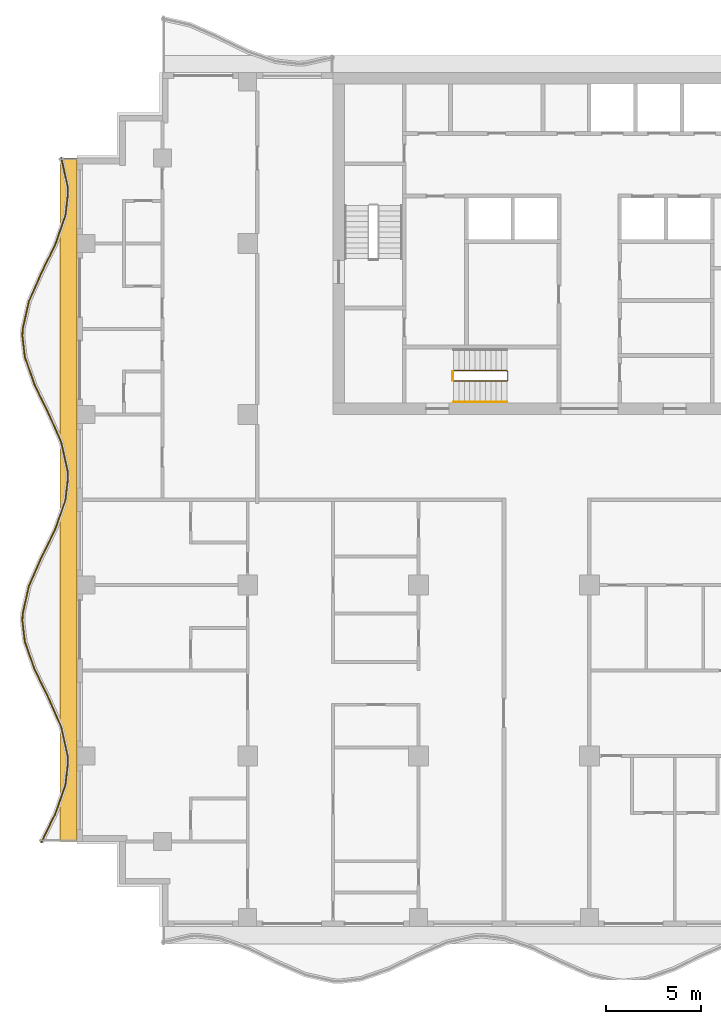
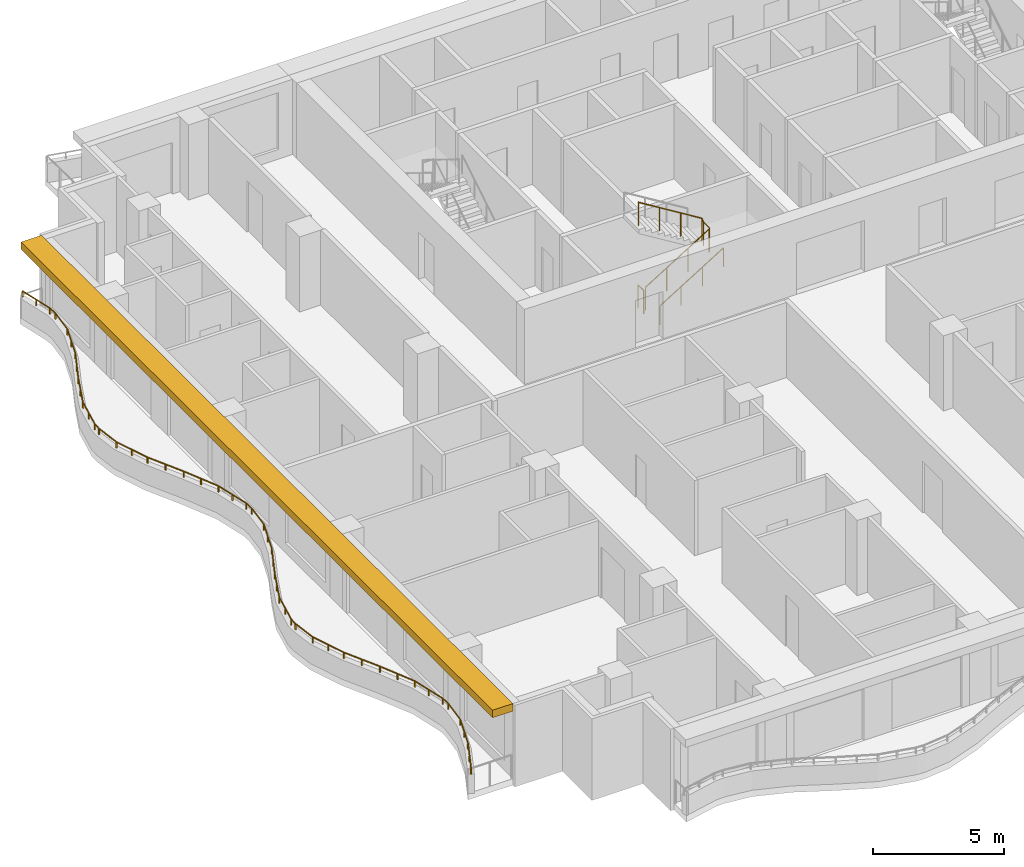
# One storey, part 9 of 11: 4 railings, 1 shading device.
"""IFC4 building model written with IfcOpenShell, lengths in metres."""

from ifc_helpers import new_model, si_unit, direction, frame, origin, origin_2d, place, context, subcontext, project, spatial, polyline, rectangle, circle, outline, extrude, material, layer, layer_set, type_object, element, save


model = new_model("IFC4")

# Units and contexts
model_context = context("Model", 3, precision=1e-05, world=origin(), true_north=direction((0.0, 1.0)))
body_context = subcontext(model_context, "Body", "Model", "MODEL_VIEW")
ifc_project = project(units=[si_unit("LENGTHUNIT", "METRE"), si_unit("AREAUNIT", "SQUARE_METRE"), si_unit("VOLUMEUNIT", "CUBIC_METRE"), si_unit("PLANEANGLEUNIT", "RADIAN"), si_unit("MASSUNIT", "GRAM", prefix="KILO")], contexts=[model_context])

# Site, building, storey
site_placement = place(None, origin())
site = spatial("IfcSite", under=ifc_project, at=site_placement, CompositionType="ELEMENT")
building_placement = place(site_placement, origin())
building = spatial("IfcBuilding", under=site, at=building_placement, Name="Orbiselva Terraces", CompositionType="ELEMENT")
storey_placement = place(building_placement, frame((0.0, 0.0, 230.0)))
storey = spatial("IfcBuildingStorey", under=building, at=storey_placement, Name="L58", CompositionType="ELEMENT", Elevation=230.0)

# Railings
ifc_material_1 = material(Name="Stainless steel", Category="steel")
railing_type_1 = type_object("IfcRailingType", Name="CORE-GUARD-1100", PredefinedType="GUARDRAIL", material=ifc_material_1)
railing_1_placement = place(storey_placement, frame((-7.15, 6.25, 0.172727)))
element("IfcRailing", 1, at=railing_1_placement, inside=storey, type_object=railing_type_1, Name="L58 S3 stair guard 1", PredefinedType="GUARDRAIL", context=body_context, shape_type="SweptSolid", body=[
    extrude(circle(Radius=0.024, at=origin_2d()), frame((0.0, 0.0, 1.081), z_axis=(0.851088519012, 0.0, 0.52502222125), x_axis=(0.0, 1.0, 0.0)), (0.0, 0.0, 1.0), 3.289905),
    extrude(circle(Radius=0.024, at=origin_2d()), frame((2.8, 0.0, 2.808273), z_axis=(0.707106781187, 0.707106781187, 0.0), x_axis=(-0.707106781187, 0.707106781187, 0.0)), (0.0, 0.0, 1.0), 0.070711),
    extrude(circle(Radius=0.024, at=origin_2d()), frame((2.85, 0.05, 2.808273), z_axis=(0.0, 1.0, 0.0), x_axis=(-1.0, 0.0, 0.0)), (0.0, 0.0, 1.0), 0.45),
    extrude(circle(Radius=0.024, at=origin_2d()), frame((2.85, 0.5, 2.808273), z_axis=(-0.267894925557, 0.267894925557, 0.925453736133), x_axis=(-0.707106781187, -0.707106781187, 0.0)), (0.0, 0.0, 1.0), 0.18664),
    extrude(circle(Radius=0.024, at=origin_2d()), frame((2.8, 0.55, 2.981), z_axis=(-0.851088519012, 0.0, 0.52502222125), x_axis=(0.0, -1.0, 0.0)), (0.0, 0.0, 1.0), 3.289905),
    extrude(circle(Radius=0.021, at=origin_2d()), origin(), (0.0, 0.0, 1.0), 1.057),
    extrude(circle(Radius=0.021, at=origin_2d()), frame((0.933333, 0.0, 0.575758)), (0.0, 0.0, 1.0), 1.057),
    extrude(circle(Radius=0.021, at=origin_2d()), frame((1.866667, 0.0, 1.151515)), (0.0, 0.0, 1.0), 1.057),
    extrude(circle(Radius=0.021, at=origin_2d()), frame((2.8, 0.0, 1.727273)), (0.0, 0.0, 1.0), 1.057),
    extrude(circle(Radius=0.021, at=origin_2d()), frame((2.85, 0.05, 1.727273)), (0.0, 0.0, 1.0), 1.057),
    extrude(circle(Radius=0.021, at=origin_2d()), frame((2.85, 0.5, 1.727273)), (0.0, 0.0, 1.0), 1.057),
    extrude(circle(Radius=0.021, at=origin_2d()), frame((2.8, 0.55, 1.9)), (0.0, 0.0, 1.0), 1.057),
    extrude(circle(Radius=0.021, at=origin_2d()), frame((1.866667, 0.55, 2.475758)), (0.0, 0.0, 1.0), 1.057),
    extrude(circle(Radius=0.021, at=origin_2d()), frame((0.933333, 0.55, 3.051515)), (0.0, 0.0, 1.0), 1.057),
    extrude(circle(Radius=0.021, at=origin_2d()), frame((0.0, 0.55, 3.627273)), (0.0, 0.0, 1.0), 1.057),
])
railing_2_placement = place(storey_placement, frame((-7.2, 6.3, 0.0)))
element("IfcRailing", 2, at=railing_2_placement, inside=storey, type_object=railing_type_1, Name="L58 S3 stair guard 2", PredefinedType="GUARDRAIL", context=body_context, shape_type="SweptSolid", body=[
    extrude(circle(Radius=0.024, at=origin_2d()), frame((0.0, 0.0, 1.081), z_axis=(0.0, 1.0, 0.0), x_axis=(-1.0, 0.0, 0.0)), (0.0, 0.0, 1.0), 0.45),
    extrude(circle(Radius=0.021, at=origin_2d()), origin(), (0.0, 0.0, 1.0), 1.057),
    extrude(circle(Radius=0.021, at=origin_2d()), frame((0.0, 0.45, 0.0)), (0.0, 0.0, 1.0), 1.057),
])
railing_type_2 = type_object("IfcRailingType", Name="CORE-HANDRAIL-900", PredefinedType="HANDRAIL", material=ifc_material_1)
railing_3_placement = place(storey_placement, frame((-7.15, 5.15, 0.172727)))
element("IfcRailing", 3, at=railing_3_placement, inside=storey, type_object=railing_type_2, Name="L58 S3 stair handrail 1", PredefinedType="HANDRAIL", context=body_context, shape_type="SweptSolid", body=[
    extrude(circle(Radius=0.024, at=origin_2d()), frame((0.0, 0.0, 0.876), z_axis=(0.851088519012, 0.0, 0.52502222125), x_axis=(0.0, 1.0, 0.0)), (0.0, 0.0, 1.0), 3.289905),
    extrude(circle(Radius=0.021, at=origin_2d()), origin(), (0.0, 0.0, 1.0), 0.852),
    extrude(circle(Radius=0.021, at=origin_2d()), frame((0.933333, 0.0, 0.575758)), (0.0, 0.0, 1.0), 0.852),
    extrude(circle(Radius=0.021, at=origin_2d()), frame((1.866667, 0.0, 1.151515)), (0.0, 0.0, 1.0), 0.852),
    extrude(circle(Radius=0.021, at=origin_2d()), frame((2.8, 0.0, 1.727273)), (0.0, 0.0, 1.0), 0.852),
])
ifc_material_2 = material(Name="Bonded two-ply safety glass balustrade, stainless steel posts", Category="steel")
railing_type_3 = type_object("IfcRailingType", Name="ENV-BALUSTRADE-1200", PredefinedType="BALUSTRADE", material=ifc_material_2)
railing_4_placement = place(storey_placement, frame((-27.829507, 18.027377, 0.9)))
element("IfcRailing", 4, at=railing_4_placement, inside=storey, type_object=railing_type_3, Name="Balcony balustrade L58 W", PredefinedType="BALUSTRADE", context=body_context, shape_type="SweptSolid", body=[
    extrude(outline(polyline([(0.028868, 0.0), (0.014434, 0.025), (-0.014434, 0.025), (-0.028868, 0.0), (-0.014434, -0.025), (0.014434, -0.025), (0.028868, 0.0)])), frame((0.0, 0.0, 0.275), z_axis=(0.219015484484, -0.97572138316, 0.0), x_axis=(0.97572138316, 0.219015484484, 0.0)), (0.0, 0.0, 1.0), 1.548694),
    extrude(outline(polyline([(0.028868, 0.0), (0.014434, 0.025), (-0.014434, 0.025), (-0.028868, 0.0), (-0.014434, -0.025), (0.014434, -0.025), (0.028868, 0.0)])), frame((0.339188, -1.511094, 0.275), z_axis=(0.03936915532, -0.999224734286, 0.0), x_axis=(0.999224734286, 0.03936915532, 0.0)), (0.0, 0.0, 1.0), 0.396376),
    extrude(outline(polyline([(0.028868, 0.0), (0.014434, 0.025), (-0.014434, 0.025), (-0.028868, 0.0), (-0.014434, -0.025), (0.014434, -0.025), (0.028868, 0.0)])), frame((0.354793, -1.907163, 0.275), z_axis=(-0.115482182324, -0.993309551734, 0.0), x_axis=(0.993309551734, -0.115482182324, 0.0)), (0.0, 0.0, 1.0), 1.156135),
    extrude(outline(polyline([(0.028868, 0.0), (0.014434, 0.025), (-0.014434, 0.025), (-0.028868, 0.0), (-0.014434, -0.025), (0.014434, -0.025), (0.028868, 0.0)])), frame((0.22128, -3.055563, 0.275), z_axis=(-0.330024597479, -0.943972332783, 0.0), x_axis=(0.943972332783, -0.330024597479, 0.0)), (0.0, 0.0, 1.0), 1.610253),
    extrude(outline(polyline([(0.028868, 0.0), (0.014434, 0.025), (-0.014434, 0.025), (-0.028868, 0.0), (-0.014434, -0.025), (0.014434, -0.025), (0.028868, 0.0)])), frame((-0.310143, -4.575597, 0.275), z_axis=(-0.438812048596, -0.898578870221, 0.0), x_axis=(0.898578870221, -0.438812048596, 0.0)), (0.0, 0.0, 1.0), 1.674225),
    extrude(outline(polyline([(0.028868, 0.0), (0.014434, 0.025), (-0.014434, 0.025), (-0.028868, 0.0), (-0.014434, -0.025), (0.014434, -0.025), (0.028868, 0.0)])), frame((-1.044813, -6.08002, 0.275), z_axis=(-0.403151245402, -0.915133363686, 0.0), x_axis=(0.915133363686, -0.403151245402, 0.0)), (0.0, 0.0, 1.0), 1.624475),
    extrude(outline(polyline([(0.028868, 0.0), (0.014434, 0.025), (-0.014434, 0.025), (-0.028868, 0.0), (-0.014434, -0.025), (0.014434, -0.025), (0.028868, 0.0)])), frame((-1.699722, -7.566631, 0.275), z_axis=(-0.219015740235, -0.975721325753, 0.0), x_axis=(0.975721325753, -0.219015740235, 0.0)), (0.0, 0.0, 1.0), 1.513782),
    extrude(outline(polyline([(0.028868, 0.0), (0.014434, 0.025), (-0.014434, 0.025), (-0.028868, 0.0), (-0.014434, -0.025), (0.014434, -0.025), (0.028868, 0.0)])), frame((-2.031264, -9.04366, 0.275), z_axis=(-0.039364150694, -0.999224931454, 0.0), x_axis=(0.999224931454, -0.039364150694, 0.0)), (0.0, 0.0, 1.0), 0.354206),
    extrude(outline(polyline([(0.028868, 0.0), (0.014434, 0.025), (-0.014434, 0.025), (-0.028868, 0.0), (-0.014434, -0.025), (0.014434, -0.025), (0.028868, 0.0)])), frame((-2.045207, -9.397591, 0.275), z_axis=(0.115481264762, -0.993309658409, 0.0), x_axis=(0.993309658409, 0.115481264762, 0.0)), (0.0, 0.0, 1.0), 1.10902),
    extrude(outline(polyline([(0.028868, 0.0), (0.014434, 0.025), (-0.014434, 0.025), (-0.028868, 0.0), (-0.014434, -0.025), (0.014434, -0.025), (0.028868, 0.0)])), frame((-1.917136, -10.499191, 0.275), z_axis=(0.330024754707, -0.943972277814, 0.0), x_axis=(0.943972277814, 0.330024754707, 0.0)), (0.0, 0.0, 1.0), 1.567807),
    extrude(outline(polyline([(0.028868, 0.0), (0.014434, 0.025), (-0.014434, 0.025), (-0.028868, 0.0), (-0.014434, -0.025), (0.014434, -0.025), (0.028868, 0.0)])), frame((-1.399721, -11.979157, 0.275), z_axis=(0.438811978768, -0.89857890432, 0.0), x_axis=(0.89857890432, 0.438811978768, 0.0)), (0.0, 0.0, 1.0), 1.66438),
    extrude(outline(polyline([(0.028868, 0.0), (0.014434, 0.025), (-0.014434, 0.025), (-0.028868, 0.0), (-0.014434, -0.025), (0.014434, -0.025), (0.028868, 0.0)])), frame((-0.669371, -13.474734, 0.275), z_axis=(0.403150874148, -0.915133527237, 0.0), x_axis=(0.915133527237, 0.403150874148, 0.0)), (0.0, 0.0, 1.0), 1.653736),
    extrude(outline(polyline([(0.028868, 0.0), (0.014434, 0.025), (-0.014434, 0.025), (-0.028868, 0.0), (-0.014434, -0.025), (0.014434, -0.025), (0.028868, 0.0)])), frame((-0.002666, -14.988123, 0.275), z_axis=(0.219015500924, -0.97572137947, 0.0), x_axis=(0.97572137947, 0.219015500924, 0.0)), (0.0, 0.0, 1.0), 1.560867),
    extrude(outline(polyline([(0.028868, 0.0), (0.014434, 0.025), (-0.014434, 0.025), (-0.028868, 0.0), (-0.014434, -0.025), (0.014434, -0.025), (0.028868, 0.0)])), frame((0.339188, -16.511094, 0.275), z_axis=(0.03936915532, -0.999224734286, 0.0), x_axis=(0.999224734286, 0.03936915532, 0.0)), (0.0, 0.0, 1.0), 0.396376),
    extrude(outline(polyline([(0.028868, 0.0), (0.014434, 0.025), (-0.014434, 0.025), (-0.028868, 0.0), (-0.014434, -0.025), (0.014434, -0.025), (0.028868, 0.0)])), frame((0.354793, -16.907163, 0.275), z_axis=(-0.115482182324, -0.993309551734, 0.0), x_axis=(0.993309551734, -0.115482182324, 0.0)), (0.0, 0.0, 1.0), 1.156135),
    extrude(outline(polyline([(0.028868, 0.0), (0.014434, 0.025), (-0.014434, 0.025), (-0.028868, 0.0), (-0.014434, -0.025), (0.014434, -0.025), (0.028868, 0.0)])), frame((0.22128, -18.055563, 0.275), z_axis=(-0.330024597479, -0.943972332783, 0.0), x_axis=(0.943972332783, -0.330024597479, 0.0)), (0.0, 0.0, 1.0), 1.610253),
    extrude(outline(polyline([(0.028868, 0.0), (0.014434, 0.025), (-0.014434, 0.025), (-0.028868, 0.0), (-0.014434, -0.025), (0.014434, -0.025), (0.028868, 0.0)])), frame((-0.310143, -19.575597, 0.275), z_axis=(-0.438812048596, -0.898578870221, 0.0), x_axis=(0.898578870221, -0.438812048596, 0.0)), (0.0, 0.0, 1.0), 1.674225),
    extrude(outline(polyline([(0.028868, 0.0), (0.014434, 0.025), (-0.014434, 0.025), (-0.028868, 0.0), (-0.014434, -0.025), (0.014434, -0.025), (0.028868, 0.0)])), frame((-1.044813, -21.08002, 0.275), z_axis=(-0.403151245402, -0.915133363686, 0.0), x_axis=(0.915133363686, -0.403151245402, 0.0)), (0.0, 0.0, 1.0), 1.624475),
    extrude(outline(polyline([(0.028868, 0.0), (0.014434, 0.025), (-0.014434, 0.025), (-0.028868, 0.0), (-0.014434, -0.025), (0.014434, -0.025), (0.028868, 0.0)])), frame((-1.699722, -22.566631, 0.275), z_axis=(-0.219015740235, -0.975721325753, 0.0), x_axis=(0.975721325753, -0.219015740235, 0.0)), (0.0, 0.0, 1.0), 1.513782),
    extrude(outline(polyline([(0.028868, 0.0), (0.014434, 0.025), (-0.014434, 0.025), (-0.028868, 0.0), (-0.014434, -0.025), (0.014434, -0.025), (0.028868, 0.0)])), frame((-2.031264, -24.04366, 0.275), z_axis=(-0.039364150694, -0.999224931454, 0.0), x_axis=(0.999224931454, -0.039364150694, 0.0)), (0.0, 0.0, 1.0), 0.354206),
    extrude(outline(polyline([(0.028868, 0.0), (0.014434, 0.025), (-0.014434, 0.025), (-0.028868, 0.0), (-0.014434, -0.025), (0.014434, -0.025), (0.028868, 0.0)])), frame((-2.045207, -24.397591, 0.275), z_axis=(0.115481264762, -0.993309658409, 0.0), x_axis=(0.993309658409, 0.115481264762, 0.0)), (0.0, 0.0, 1.0), 1.10902),
    extrude(outline(polyline([(0.028868, 0.0), (0.014434, 0.025), (-0.014434, 0.025), (-0.028868, 0.0), (-0.014434, -0.025), (0.014434, -0.025), (0.028868, 0.0)])), frame((-1.917136, -25.499191, 0.275), z_axis=(0.330024754707, -0.943972277814, 0.0), x_axis=(0.943972277814, 0.330024754707, 0.0)), (0.0, 0.0, 1.0), 1.567807),
    extrude(outline(polyline([(0.028868, 0.0), (0.014434, 0.025), (-0.014434, 0.025), (-0.028868, 0.0), (-0.014434, -0.025), (0.014434, -0.025), (0.028868, 0.0)])), frame((-1.399721, -26.979157, 0.275), z_axis=(0.438811978768, -0.89857890432, 0.0), x_axis=(0.89857890432, 0.438811978768, 0.0)), (0.0, 0.0, 1.0), 1.66438),
    extrude(outline(polyline([(0.028868, 0.0), (0.014434, 0.025), (-0.014434, 0.025), (-0.028868, 0.0), (-0.014434, -0.025), (0.014434, -0.025), (0.028868, 0.0)])), frame((-0.669371, -28.474734, 0.275), z_axis=(0.403150874148, -0.915133527237, 0.0), x_axis=(0.915133527237, 0.403150874148, 0.0)), (0.0, 0.0, 1.0), 1.653736),
    extrude(outline(polyline([(0.028868, 0.0), (0.014434, 0.025), (-0.014434, 0.025), (-0.028868, 0.0), (-0.014434, -0.025), (0.014434, -0.025), (0.028868, 0.0)])), frame((-0.002666, -29.988123, 0.275), z_axis=(0.219015500924, -0.97572137947, 0.0), x_axis=(0.97572137947, 0.219015500924, 0.0)), (0.0, 0.0, 1.0), 1.560867),
    extrude(outline(polyline([(0.028868, 0.0), (0.014434, 0.025), (-0.014434, 0.025), (-0.028868, 0.0), (-0.014434, -0.025), (0.014434, -0.025), (0.028868, 0.0)])), frame((0.339188, -31.511094, 0.275), z_axis=(0.03936915532, -0.999224734286, 0.0), x_axis=(0.999224734286, 0.03936915532, 0.0)), (0.0, 0.0, 1.0), 0.396376),
    extrude(outline(polyline([(0.028868, 0.0), (0.014434, 0.025), (-0.014434, 0.025), (-0.028868, 0.0), (-0.014434, -0.025), (0.014434, -0.025), (0.028868, 0.0)])), frame((0.354793, -31.907163, 0.275), z_axis=(-0.115482182324, -0.993309551734, 0.0), x_axis=(0.993309551734, -0.115482182324, 0.0)), (0.0, 0.0, 1.0), 1.156135),
    extrude(outline(polyline([(0.028868, 0.0), (0.014434, 0.025), (-0.014434, 0.025), (-0.028868, 0.0), (-0.014434, -0.025), (0.014434, -0.025), (0.028868, 0.0)])), frame((0.22128, -33.055563, 0.275), z_axis=(-0.330024597479, -0.943972332783, 0.0), x_axis=(0.943972332783, -0.330024597479, 0.0)), (0.0, 0.0, 1.0), 1.610253),
    extrude(outline(polyline([(0.028868, 0.0), (0.014434, 0.025), (-0.014434, 0.025), (-0.028868, 0.0), (-0.014434, -0.025), (0.014434, -0.025), (0.028868, 0.0)])), frame((-0.310143, -34.575597, 0.275), z_axis=(-0.43881217228, -0.898578809821, 0.0), x_axis=(0.898578809821, -0.43881217228, 0.0)), (0.0, 0.0, 1.0), 1.676683),
    extrude(rectangle(XDim=0.05, YDim=0.05, at=origin_2d()), origin(), (0.0, 0.0, 1.0), 0.25),
    extrude(rectangle(XDim=0.05, YDim=0.05, at=origin_2d()), frame((0.169594, -0.755547, 0.0)), (0.0, 0.0, 1.0), 0.25),
    extrude(rectangle(XDim=0.05, YDim=0.05, at=origin_2d()), frame((0.339188, -1.511094, 0.0)), (0.0, 0.0, 1.0), 0.25),
    extrude(rectangle(XDim=0.05, YDim=0.05, at=origin_2d()), frame((0.354793, -1.907163, 0.0)), (0.0, 0.0, 1.0), 0.25),
    extrude(rectangle(XDim=0.05, YDim=0.05, at=origin_2d()), frame((0.22128, -3.055563, 0.0)), (0.0, 0.0, 1.0), 0.25),
    extrude(rectangle(XDim=0.05, YDim=0.05, at=origin_2d()), frame((-0.044431, -3.81558, 0.0)), (0.0, 0.0, 1.0), 0.25),
    extrude(rectangle(XDim=0.05, YDim=0.05, at=origin_2d()), frame((-0.310143, -4.575597, 0.0)), (0.0, 0.0, 1.0), 0.25),
    extrude(rectangle(XDim=0.05, YDim=0.05, at=origin_2d()), frame((-0.677478, -5.327809, 0.0)), (0.0, 0.0, 1.0), 0.25),
    extrude(rectangle(XDim=0.05, YDim=0.05, at=origin_2d()), frame((-1.044813, -6.08002, 0.0)), (0.0, 0.0, 1.0), 0.25),
    extrude(rectangle(XDim=0.05, YDim=0.05, at=origin_2d()), frame((-1.372268, -6.823326, 0.0)), (0.0, 0.0, 1.0), 0.25),
    extrude(rectangle(XDim=0.05, YDim=0.05, at=origin_2d()), frame((-1.699722, -7.566631, 0.0)), (0.0, 0.0, 1.0), 0.25),
    extrude(rectangle(XDim=0.05, YDim=0.05, at=origin_2d()), frame((-1.865493, -8.305146, 0.0)), (0.0, 0.0, 1.0), 0.25),
    extrude(rectangle(XDim=0.05, YDim=0.05, at=origin_2d()), frame((-2.031264, -9.04366, 0.0)), (0.0, 0.0, 1.0), 0.25),
    extrude(rectangle(XDim=0.05, YDim=0.05, at=origin_2d()), frame((-2.045207, -9.397591, 0.0)), (0.0, 0.0, 1.0), 0.25),
    extrude(rectangle(XDim=0.05, YDim=0.05, at=origin_2d()), frame((-1.917136, -10.499191, 0.0)), (0.0, 0.0, 1.0), 0.25),
    extrude(rectangle(XDim=0.05, YDim=0.05, at=origin_2d()), frame((-1.658428, -11.239174, 0.0)), (0.0, 0.0, 1.0), 0.25),
    extrude(rectangle(XDim=0.05, YDim=0.05, at=origin_2d()), frame((-1.399721, -11.979157, 0.0)), (0.0, 0.0, 1.0), 0.25),
    extrude(rectangle(XDim=0.05, YDim=0.05, at=origin_2d()), frame((-1.034546, -12.726946, 0.0)), (0.0, 0.0, 1.0), 0.25),
    extrude(rectangle(XDim=0.05, YDim=0.05, at=origin_2d()), frame((-0.669371, -13.474734, 0.0)), (0.0, 0.0, 1.0), 0.25),
    extrude(rectangle(XDim=0.05, YDim=0.05, at=origin_2d()), frame((-0.336019, -14.231429, 0.0)), (0.0, 0.0, 1.0), 0.25),
    extrude(rectangle(XDim=0.05, YDim=0.05, at=origin_2d()), frame((-0.002666, -14.988123, 0.0)), (0.0, 0.0, 1.0), 0.25),
    extrude(rectangle(XDim=0.05, YDim=0.05, at=origin_2d()), frame((0.168261, -15.749608, 0.0)), (0.0, 0.0, 1.0), 0.25),
    extrude(rectangle(XDim=0.05, YDim=0.05, at=origin_2d()), frame((0.339188, -16.511094, 0.0)), (0.0, 0.0, 1.0), 0.25),
    extrude(rectangle(XDim=0.05, YDim=0.05, at=origin_2d()), frame((0.354793, -16.907163, 0.0)), (0.0, 0.0, 1.0), 0.25),
    extrude(rectangle(XDim=0.05, YDim=0.05, at=origin_2d()), frame((0.22128, -18.055563, 0.0)), (0.0, 0.0, 1.0), 0.25),
    extrude(rectangle(XDim=0.05, YDim=0.05, at=origin_2d()), frame((-0.044431, -18.81558, 0.0)), (0.0, 0.0, 1.0), 0.25),
    extrude(rectangle(XDim=0.05, YDim=0.05, at=origin_2d()), frame((-0.310143, -19.575597, 0.0)), (0.0, 0.0, 1.0), 0.25),
    extrude(rectangle(XDim=0.05, YDim=0.05, at=origin_2d()), frame((-0.677478, -20.327809, 0.0)), (0.0, 0.0, 1.0), 0.25),
    extrude(rectangle(XDim=0.05, YDim=0.05, at=origin_2d()), frame((-1.044813, -21.08002, 0.0)), (0.0, 0.0, 1.0), 0.25),
    extrude(rectangle(XDim=0.05, YDim=0.05, at=origin_2d()), frame((-1.372268, -21.823326, 0.0)), (0.0, 0.0, 1.0), 0.25),
    extrude(rectangle(XDim=0.05, YDim=0.05, at=origin_2d()), frame((-1.699722, -22.566631, 0.0)), (0.0, 0.0, 1.0), 0.25),
    extrude(rectangle(XDim=0.05, YDim=0.05, at=origin_2d()), frame((-1.865493, -23.305146, 0.0)), (0.0, 0.0, 1.0), 0.25),
    extrude(rectangle(XDim=0.05, YDim=0.05, at=origin_2d()), frame((-2.031264, -24.04366, 0.0)), (0.0, 0.0, 1.0), 0.25),
    extrude(rectangle(XDim=0.05, YDim=0.05, at=origin_2d()), frame((-2.045207, -24.397591, 0.0)), (0.0, 0.0, 1.0), 0.25),
    extrude(rectangle(XDim=0.05, YDim=0.05, at=origin_2d()), frame((-1.917136, -25.499191, 0.0)), (0.0, 0.0, 1.0), 0.25),
    extrude(rectangle(XDim=0.05, YDim=0.05, at=origin_2d()), frame((-1.658428, -26.239174, 0.0)), (0.0, 0.0, 1.0), 0.25),
    extrude(rectangle(XDim=0.05, YDim=0.05, at=origin_2d()), frame((-1.399721, -26.979157, 0.0)), (0.0, 0.0, 1.0), 0.25),
    extrude(rectangle(XDim=0.05, YDim=0.05, at=origin_2d()), frame((-1.034546, -27.726946, 0.0)), (0.0, 0.0, 1.0), 0.25),
    extrude(rectangle(XDim=0.05, YDim=0.05, at=origin_2d()), frame((-0.669371, -28.474734, 0.0)), (0.0, 0.0, 1.0), 0.25),
    extrude(rectangle(XDim=0.05, YDim=0.05, at=origin_2d()), frame((-0.336019, -29.231428, 0.0)), (0.0, 0.0, 1.0), 0.25),
    extrude(rectangle(XDim=0.05, YDim=0.05, at=origin_2d()), frame((-0.002666, -29.988123, 0.0)), (0.0, 0.0, 1.0), 0.25),
    extrude(rectangle(XDim=0.05, YDim=0.05, at=origin_2d()), frame((0.168261, -30.749608, 0.0)), (0.0, 0.0, 1.0), 0.25),
    extrude(rectangle(XDim=0.05, YDim=0.05, at=origin_2d()), frame((0.339188, -31.511094, 0.0)), (0.0, 0.0, 1.0), 0.25),
    extrude(rectangle(XDim=0.05, YDim=0.05, at=origin_2d()), frame((0.354793, -31.907163, 0.0)), (0.0, 0.0, 1.0), 0.25),
    extrude(rectangle(XDim=0.05, YDim=0.05, at=origin_2d()), frame((0.22128, -33.055563, 0.0)), (0.0, 0.0, 1.0), 0.25),
    extrude(rectangle(XDim=0.05, YDim=0.05, at=origin_2d()), frame((-0.044431, -33.81558, 0.0)), (0.0, 0.0, 1.0), 0.25),
    extrude(rectangle(XDim=0.05, YDim=0.05, at=origin_2d()), frame((-0.310143, -34.575597, 0.0)), (0.0, 0.0, 1.0), 0.25),
    extrude(rectangle(XDim=0.05, YDim=0.05, at=origin_2d()), frame((-0.678018, -35.328913, 0.0)), (0.0, 0.0, 1.0), 0.25),
    extrude(rectangle(XDim=0.05, YDim=0.05, at=origin_2d()), frame((-1.045892, -36.082229, 0.0)), (0.0, 0.0, 1.0), 0.25),
])

# Shading device
ifc_material_3 = material(Name="Terracotta baguette sunshade", Category="masonry")
ifc_layer = layer(ifc_material_3, 0.35)
ifc_layer_set = layer_set([ifc_layer], Name="Terracotta baguette sunshade")
shading_device_type = type_object("IfcShadingDeviceType", Name="ENV-SUNSHADE-900x350", PredefinedType="USERDEFINED", material=ifc_layer_set)
shading_device_placement = place(storey_placement, frame((0.0, 0.0, 3.15)))
element("IfcShadingDevice", 5, at=shading_device_placement, inside=storey, type_object=shading_device_type, Name="Sunshade band L58 W", ObjectType="SUNSHADE", PredefinedType="USERDEFINED", context=body_context, shape_type="SweptSolid", body=[
    extrude(outline(polyline([(-27.9, 18.0), (-27.9, -18.0), (-27.0, -18.0), (-27.0, 18.0), (-27.9, 18.0)])), origin(), (0.0, 0.0, 1.0), 0.35),
])

save(model, "model.ifc")
